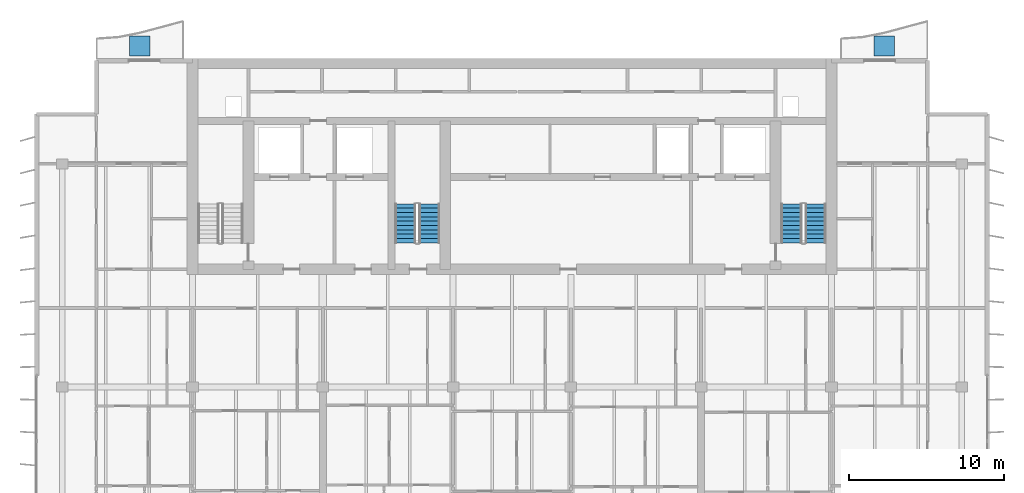
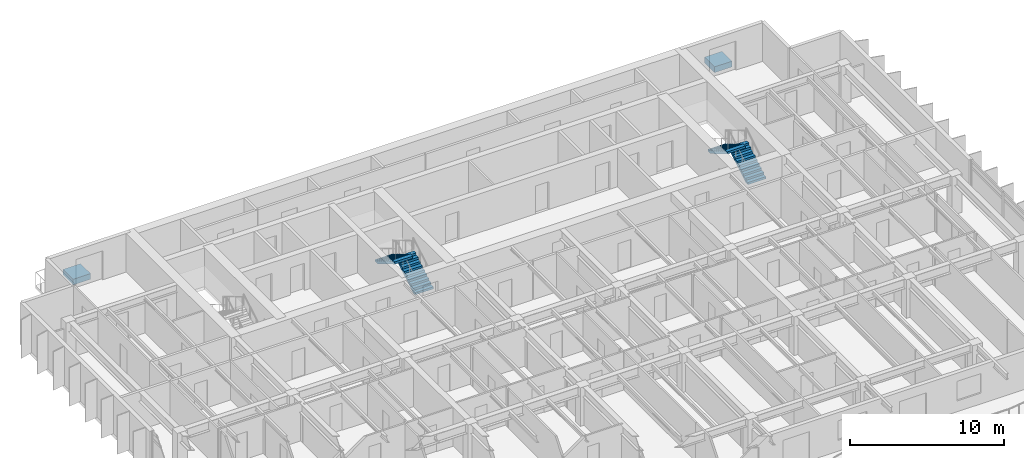
# One storey, part 12 of 17: 4 stair flights, 2 discrete accessories, 2 elements without a shape of their own.
"""IFC4 building model written with IfcOpenShell, lengths in metres."""

from ifc_helpers import new_model, si_unit, direction, frame, origin, origin_2d, place, context, subcontext, project, spatial, polyline, rectangle, outline, extrude, material, type_object, element, aggregate, save


model = new_model("IFC4")

# Units and contexts
model_context = context("Model", 3, precision=1e-05, world=origin(), true_north=direction((0.0, 1.0)))
body_context = subcontext(model_context, "Body", "Model", "MODEL_VIEW")
ifc_project = project(units=[si_unit("LENGTHUNIT", "METRE"), si_unit("AREAUNIT", "SQUARE_METRE"), si_unit("VOLUMEUNIT", "CUBIC_METRE"), si_unit("PLANEANGLEUNIT", "RADIAN"), si_unit("MASSUNIT", "GRAM", prefix="KILO")], contexts=[model_context])

# Site, building, storey
site_placement = place(None, origin())
site = spatial("IfcSite", under=ifc_project, at=site_placement, CompositionType="ELEMENT")
building_placement = place(site_placement, origin())
building = spatial("IfcBuilding", under=site, at=building_placement, Name="Caelmar Bay Residences", CompositionType="ELEMENT")
storey_placement = place(building_placement, frame((0.0, 0.0, 229.800048828125)))
storey = spatial("IfcBuildingStorey", under=building, at=storey_placement, Name="L64", CompositionType="ELEMENT", Elevation=229.800048828125)

# Stair, stair flights
ifc_material_1 = material(Name="Concrete f'c 40 MPa (6,000 psi)", Category="concrete")
stair_type = type_object("IfcStairType", Name="ST-TYP-165", PredefinedType="HALF_TURN_STAIR", material=ifc_material_1)
stair_1_placement = place(storey_placement, origin())
stair_1 = element("IfcStair", 1, at=stair_1_placement, inside=storey, type_object=stair_type, Name="L64 East Smokeproof Exit Stair ST2", PredefinedType="HALF_TURN_STAIR")
stair_flight_type = type_object("IfcStairFlightType", Name="STF-1350", PredefinedType="STRAIGHT", material=ifc_material_1)
stair_flight_1_placement = place(storey_placement, frame((58.47509765625, 38.699951171875, 0.0), z_axis=(0.0, 0.0, 1.0), x_axis=(0.0, 1.0, 0.0)))
stair_flight_1 = element("IfcStairFlight", 2, at=stair_flight_1_placement, type_object=stair_flight_type, Name="ST2 flight 1", NumberOfRisers=10, NumberOfTreads=9, PredefinedType="STRAIGHT", RiserHeight=0.165, TreadLength=0.28, context=body_context, shape_type="SweptSolid", body=[
    extrude(outline(polyline([(0.0, 0.0), (0.0, 0.1650390625), (0.280029296875, 0.1650390625), (0.280029296875, 0.330078125), (0.56005859375, 0.330078125), (0.56005859375, 0.4951171875), (0.840087890625, 0.4951171875), (0.840087890625, 0.659912109375), (1.1201171875, 0.659912109375), (1.1201171875, 0.824951171875), (1.39990234375, 0.824951171875), (1.39990234375, 0.989990234375), (1.679931640625, 0.989990234375), (1.679931640625, 1.155029296875), (1.9599609375, 1.155029296875), (1.9599609375, 1.320068359375), (2.239990234375, 1.320068359375), (2.239990234375, 1.485107421875), (2.52001953125, 1.485107421875), (2.52001953125, 1.64990234375), (2.52001953125, 1.31103515625), (0.295166015625, 0.0), (0.0, 0.0)])), frame((0.0, 0.675048828125, 0.0), z_axis=(0.0, -1.0, 0.0), x_axis=(1.0, 0.0, 0.0)), (0.0, 0.0, 1.0), 1.35009765625),
])
stair_flight_2_placement = place(storey_placement, frame((56.925048828125, 41.219970703125, 1.64990234375), z_axis=(0.0, 0.0, 1.0), x_axis=(0.0, -1.0, 0.0)))
stair_flight_2 = element("IfcStairFlight", 3, at=stair_flight_2_placement, type_object=stair_flight_type, Name="ST2 flight 2", NumberOfRisers=10, NumberOfTreads=9, PredefinedType="STRAIGHT", RiserHeight=0.165, TreadLength=0.28, context=body_context, shape_type="SweptSolid", body=[
    extrude(outline(polyline([(0.0, 0.0), (0.0, 0.1650390625), (0.280029296875, 0.1650390625), (0.280029296875, 0.330078125), (0.56005859375, 0.330078125), (0.56005859375, 0.4951171875), (0.840087890625, 0.4951171875), (0.840087890625, 0.659912109375), (1.1201171875, 0.659912109375), (1.1201171875, 0.824951171875), (1.39990234375, 0.824951171875), (1.39990234375, 0.989990234375), (1.679931640625, 0.989990234375), (1.679931640625, 1.155029296875), (1.9599609375, 1.155029296875), (1.9599609375, 1.320068359375), (2.239990234375, 1.320068359375), (2.239990234375, 1.485107421875), (2.52001953125, 1.485107421875), (2.52001953125, 1.64990234375), (2.52001953125, 1.31103515625), (0.295166015625, 0.0), (0.0, 0.0)])), frame((0.0, 0.675048828125, 0.0), z_axis=(0.0, -1.0, 0.0), x_axis=(1.0, 0.0, 0.0)), (0.0, 0.0, 1.0), 1.35009765625),
])
aggregate(stair_1, [stair_flight_1, stair_flight_2])

stair_2_placement = place(storey_placement, origin())
stair_2 = element("IfcStair", 4, at=stair_2_placement, inside=storey, type_object=stair_type, Name="L64 Central Smokeproof Exit Stair ST3", PredefinedType="HALF_TURN_STAIR")
stair_flight_3_placement = place(storey_placement, frame((33.574951171875, 38.699951171875, 0.0), z_axis=(0.0, 0.0, 1.0), x_axis=(0.0, 1.0, 0.0)))
stair_flight_3 = element("IfcStairFlight", 5, at=stair_flight_3_placement, type_object=stair_flight_type, Name="ST3 flight 1", NumberOfRisers=10, NumberOfTreads=9, PredefinedType="STRAIGHT", RiserHeight=0.165, TreadLength=0.28, context=body_context, shape_type="SweptSolid", body=[
    extrude(outline(polyline([(0.0, 0.0), (0.0, 0.1650390625), (0.280029296875, 0.1650390625), (0.280029296875, 0.330078125), (0.56005859375, 0.330078125), (0.56005859375, 0.4951171875), (0.840087890625, 0.4951171875), (0.840087890625, 0.659912109375), (1.1201171875, 0.659912109375), (1.1201171875, 0.824951171875), (1.39990234375, 0.824951171875), (1.39990234375, 0.989990234375), (1.679931640625, 0.989990234375), (1.679931640625, 1.155029296875), (1.9599609375, 1.155029296875), (1.9599609375, 1.320068359375), (2.239990234375, 1.320068359375), (2.239990234375, 1.485107421875), (2.52001953125, 1.485107421875), (2.52001953125, 1.64990234375), (2.52001953125, 1.31103515625), (0.295166015625, 0.0), (0.0, 0.0)])), frame((0.0, 0.675048828125, 0.0), z_axis=(0.0, -1.0, 0.0), x_axis=(1.0, 0.0, 0.0)), (0.0, 0.0, 1.0), 1.35009765625),
])
stair_flight_4_placement = place(storey_placement, frame((32.02490234375, 41.219970703125, 1.64990234375), z_axis=(0.0, 0.0, 1.0), x_axis=(0.0, -1.0, 0.0)))
stair_flight_4 = element("IfcStairFlight", 6, at=stair_flight_4_placement, type_object=stair_flight_type, Name="ST3 flight 2", NumberOfRisers=10, NumberOfTreads=9, PredefinedType="STRAIGHT", RiserHeight=0.165, TreadLength=0.28, context=body_context, shape_type="SweptSolid", body=[
    extrude(outline(polyline([(0.0, 0.0), (0.0, 0.1650390625), (0.280029296875, 0.1650390625), (0.280029296875, 0.330078125), (0.56005859375, 0.330078125), (0.56005859375, 0.4951171875), (0.840087890625, 0.4951171875), (0.840087890625, 0.659912109375), (1.1201171875, 0.659912109375), (1.1201171875, 0.824951171875), (1.39990234375, 0.824951171875), (1.39990234375, 0.989990234375), (1.679931640625, 0.989990234375), (1.679931640625, 1.155029296875), (1.9599609375, 1.155029296875), (1.9599609375, 1.320068359375), (2.239990234375, 1.320068359375), (2.239990234375, 1.485107421875), (2.52001953125, 1.485107421875), (2.52001953125, 1.64990234375), (2.52001953125, 1.31103515625), (0.295166015625, 0.0), (0.0, 0.0)])), frame((0.0, 0.675048828125, 0.0), z_axis=(0.0, -1.0, 0.0), x_axis=(1.0, 0.0, 0.0)), (0.0, 0.0, 1.0), 1.35009765625),
])
aggregate(stair_2, [stair_flight_3, stair_flight_4])

# Discrete accessories
ifc_material_2 = material(Name="Precast concrete f'c 40 MPa (6,000 psi)", Category="concrete")
discrete_accessory_type = type_object("IfcDiscreteAccessoryType", Name="STR-PLANTER-KERB-450", PredefinedType="USERDEFINED", material=ifc_material_2)
for number, where, z_axis, x_axis, name in (
    (7, (14.89990234375, 51.39990234375, 0.0), (0.0, 0.0, 1.0), (1.0, 0.0, 0.0), "L64 north_west Structural Tree Planter Kerb"),
    (8, (62.89990234375, 51.39990234375, 0.0), (0.0, 0.0, 1.0), (1.0, 0.0, 0.0), "L64 north_east Structural Tree Planter Kerb"),
):
    element("IfcDiscreteAccessory", number, at=place(storey_placement, frame(where, z_axis=z_axis, x_axis=x_axis)), inside=storey, type_object=discrete_accessory_type, Name=name, ObjectType="PLANTER", PredefinedType="USERDEFINED", context=body_context, shape_type="SweptSolid", body=[
        extrude(rectangle(XDim=1.300048828125, YDim=1.300048828125, at=origin_2d()), origin(), (0.0, 0.0, 1.0), 0.449951171875),
    ])

save(model, "model.ifc")
